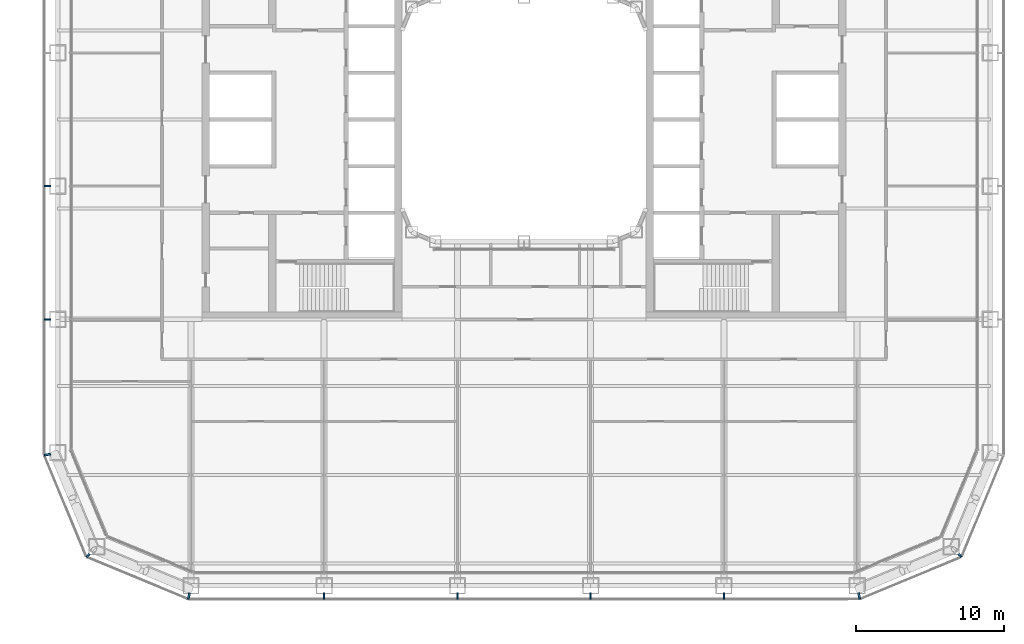
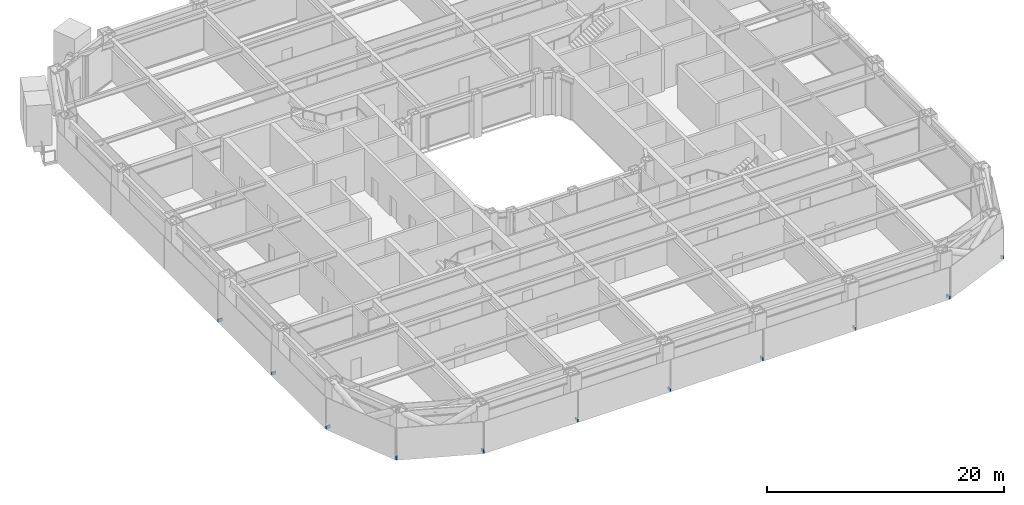
# One storey, part 17 of 28: 11 discrete accessories.
"""IFC4 building model written with IfcOpenShell, lengths in metres."""

import ifcopenshell
import ifcopenshell.guid

model = None  # the IFC model being written
_history = None  # IfcOwnerHistory: only IFC2X3 demands one
_inside = {}  # id of a spatial element -> (the spatial element, [elements in it])
_under = {}  # id of a project, library or spatial element -> (it, [spatial elements below it])
_declared = {}  # id of a project -> (the project, [libraries it declares])
_typed = {}  # id of a type object -> (the type object, [elements of that type])
_made_of = {}  # id of a material, layer set ... -> (it, [elements and type objects made of it])


def new_model(schema):
    """Start an empty IFC model of exactly this schema.

    Asked for "IFC4X3", IfcOpenShell would pick the latest addendum, in which some entities
    have other attributes; the version numbers below select the first issue.
    IFC2X3 requires an IfcOwnerHistory on every rooted entity: one is made here for all.
    """
    global model, _history
    if schema == "IFC4X3":
        model = ifcopenshell.file(schema_version=(4, 3, 0, 0))
    else:
        model = ifcopenshell.file(schema=schema)
    _inside.clear()
    _under.clear()
    _declared.clear()
    _typed.clear()
    _made_of.clear()
    _history = None
    if model.schema == "IFC2X3":
        org = make("IfcOrganization", Name="unknown")
        user = make(
            "IfcPersonAndOrganization",
            ThePerson=make("IfcPerson", FamilyName="unknown"),
            TheOrganization=org,
        )
        app = make(
            "IfcApplication",
            ApplicationDeveloper=org,
            Version="unknown",
            ApplicationFullName="unknown",
            ApplicationIdentifier="unknown",
        )
        _history = make(
            "IfcOwnerHistory",
            OwningUser=user,
            OwningApplication=app,
            ChangeAction="ADDED",
            CreationDate=0,
        )
    return model


def make(cls, **values):
    """One entity of the class cls with the attributes given. An attribute that is None is left unset."""
    return model.create_entity(
        cls, **{name: value for name, value in values.items() if value is not None}
    )


def rooted(cls, **values):
    """An entity with a GlobalId (a new one), such as an element, a storey or a relation."""
    return make(cls, GlobalId=ifcopenshell.guid.new(), OwnerHistory=_history, **values)


def si_unit(unit_type, name, prefix=None):
    """IfcSIUnit, for example si_unit("LENGTHUNIT", "METRE", prefix="MILLI")."""
    return make("IfcSIUnit", UnitType=unit_type, Prefix=prefix, Name=name)


def assignment(units):
    """IfcUnitAssignment: the units of a project."""
    return None if units is None else make("IfcUnitAssignment", Units=units)


def point(xyz):
    """IfcCartesianPoint."""
    return None if xyz is None else make("IfcCartesianPoint", Coordinates=xyz)


def direction(xyz):
    """IfcDirection."""
    return None if xyz is None else make("IfcDirection", DirectionRatios=xyz)


def frame(location, z_axis=None, x_axis=None):
    """IfcAxis2Placement3D, a coordinate frame: its origin and axes. An axis left out is left unset."""
    return make(
        "IfcAxis2Placement3D",
        Location=point(location),
        Axis=direction(z_axis),
        RefDirection=direction(x_axis),
    )


def frame_2d(location, x_axis=None):
    """IfcAxis2Placement2D, a coordinate frame in the plane: its origin and x axis."""
    return make(
        "IfcAxis2Placement2D", Location=point(location), RefDirection=direction(x_axis)
    )


def origin():
    """The frame at (0, 0, 0) with its axes left unset."""
    return frame((0.0, 0.0, 0.0))


def origin_2d():
    """The frame at (0, 0) in the plane with its x axis left unset."""
    return frame_2d((0.0, 0.0))


def place(relative_to, where):
    """IfcLocalPlacement: puts the frame where relative to a parent placement (None: the world)."""
    return make(
        "IfcLocalPlacement", PlacementRelTo=relative_to, RelativePlacement=where
    )


def context(
    kind, dimensions, precision=None, world=None, true_north=None, identifier=None
):
    """IfcGeometricRepresentationContext, for example the 3D "Model" context."""
    return make(
        "IfcGeometricRepresentationContext",
        ContextIdentifier=identifier,
        ContextType=kind,
        CoordinateSpaceDimension=dimensions,
        Precision=precision,
        WorldCoordinateSystem=world,
        TrueNorth=true_north,
    )


def subcontext(parent, identifier, kind, view, scale=None):
    """IfcGeometricRepresentationSubContext, for example "Body" below "Model"."""
    return make(
        "IfcGeometricRepresentationSubContext",
        ContextIdentifier=identifier,
        ContextType=kind,
        ParentContext=parent,
        TargetScale=scale,
        TargetView=view,
    )


def project(units=None, contexts=None):
    """IfcProject with its units and contexts."""
    return rooted(
        "IfcProject",
        Name="project",
        RepresentationContexts=contexts,
        UnitsInContext=assignment(units),
    )


def spatial(cls, under=None, at=None, **own):
    """A site, building, storey or space (cls), placed at a placement, below another one or the project."""
    s = rooted(cls, ObjectPlacement=at, **own)
    if under is not None:
        _under.setdefault(under.id(), (under, []))[1].append(s)
    return s


def profile(cls, at=None, kind="AREA", **sizes):
    """A parametric profile (cls). Its sizes go by their IFC names, for example OverallWidth=200.0."""
    return make(cls, ProfileType=kind, Position=at, **sizes)


def rectangle(**sizes):
    """IfcRectangleProfileDef."""
    return profile("IfcRectangleProfileDef", **sizes)


def extrude(swept, where, along, depth):
    """IfcExtrudedAreaSolid: the profile swept, set in the frame where, extruded along a direction by depth."""
    return make(
        "IfcExtrudedAreaSolid",
        SweptArea=swept,
        Position=where,
        ExtrudedDirection=direction(along),
        Depth=depth,
    )


def shape(context_of_items, identifier, shape_type, items):
    """IfcShapeRepresentation: the items that make up one representation, for example the "Body"."""
    return make(
        "IfcShapeRepresentation",
        ContextOfItems=context_of_items,
        RepresentationIdentifier=identifier,
        RepresentationType=shape_type,
        Items=items,
    )


def material(Name=None, Category=None):
    """IfcMaterial."""
    return make("IfcMaterial", Name=Name, Category=Category)


def made_of(thing, what):
    """Note that an element or type object is made of a material, layer set ...; save() writes the relation."""
    if what is not None:
        _made_of.setdefault(what.id(), (what, []))[1].append(thing)
    return thing


def type_object(cls, material=None, **own):
    """A type object (cls), such as IfcWallType, which elements share."""
    return made_of(rooted(cls, **own), material)


def element(
    cls,
    number,
    at=None,
    inside=None,
    cuts=None,
    type_object=None,
    material=None,
    context=None,
    identifier="Body",
    shape_type=None,
    held_by="IfcProductDefinitionShape",
    body=None,
    shapes=None,
    **own,
):
    """One element of the class cls, such as IfcWall. Its Tag is "e" and its number.

    at: its placement. inside: the storey or other place that contains it. cuts: it is an
    opening in that element (IfcRelVoidsElement). A single representation is given by context,
    identifier, shape_type and body (its items); several are given by shapes. held_by: the class
    of the entity that holds the representations. save() writes the other relations.
    """
    e = rooted(cls, Tag="e%d" % number, ObjectPlacement=at, **own)
    if body is not None:
        shapes = [shape(context, identifier, shape_type, body)]
    if shapes is not None:
        e.Representation = make(held_by, Representations=shapes)
    if inside is not None:
        _inside.setdefault(inside.id(), (inside, []))[1].append(e)
    if cuts is not None:
        rooted(
            "IfcRelVoidsElement", RelatingBuildingElement=cuts, RelatedOpeningElement=e
        )
    if type_object is not None:
        _typed.setdefault(type_object.id(), (type_object, []))[1].append(e)
    return made_of(e, material)


def aggregate(whole, parts):
    """IfcRelAggregates: a whole, such as a stair, and the parts it consists of."""
    return rooted("IfcRelAggregates", RelatingObject=whole, RelatedObjects=parts)


def save(model, path):
    """Write the relations noted so far, then the file.

    IfcRelAggregates (storeys below a building ...), IfcRelContainedInSpatialStructure (elements
    in a storey), IfcRelDefinesByType, IfcRelAssociatesMaterial and IfcRelDeclares: one each for
    every whole, place, type object, material and project.
    """
    for whole, parts in _under.values():
        aggregate(whole, parts)
    for where, things in _inside.values():
        rooted(
            "IfcRelContainedInSpatialStructure",
            RelatedElements=things,
            RelatingStructure=where,
        )
    for kind, things in _typed.values():
        rooted("IfcRelDefinesByType", RelatedObjects=things, RelatingType=kind)
    for what, things in _made_of.values():
        rooted("IfcRelAssociatesMaterial", RelatedObjects=things, RelatingMaterial=what)
    for by, libraries in _declared.values():
        rooted("IfcRelDeclares", RelatingContext=by, RelatedDefinitions=libraries)
    model.write(path)


model = new_model("IFC4")

# Units and contexts
model_context = context("Model", 3, precision=1e-05, world=origin(), true_north=direction((0.0, 1.0)))
body_context = subcontext(model_context, "Body", "Model", "MODEL_VIEW")
ifc_project = project(units=[si_unit("LENGTHUNIT", "METRE"), si_unit("AREAUNIT", "SQUARE_METRE"), si_unit("VOLUMEUNIT", "CUBIC_METRE"), si_unit("PLANEANGLEUNIT", "RADIAN"), si_unit("MASSUNIT", "GRAM", prefix="KILO")], contexts=[model_context])

# Site, building, storey
site_placement = place(None, origin())
site = spatial("IfcSite", under=ifc_project, at=site_placement, CompositionType="ELEMENT")
building_placement = place(site_placement, origin())
building = spatial("IfcBuilding", under=site, at=building_placement, Name="Siwar Civic Tower", CompositionType="ELEMENT")
storey_placement = place(building_placement, frame((0.0, 0.0, 31.199951171875)))
storey = spatial("IfcBuildingStorey", under=building, at=storey_placement, Name="L06", CompositionType="ELEMENT", Elevation=31.199951171875)

# Discrete accessories
ifc_material = material(Name="Stainless steel 316", Category="steel")
discrete_accessory_type = type_object("IfcDiscreteAccessoryType", Name="ENV-BRACKET", PredefinedType="BRACKET", material=ifc_material)
for number, where, z_axis, x_axis, name in (
    (1, (-13.5, -32.18994140625, -0.14990234375), (0.0, 0.0, 1.0), (0.0, -1.0, 0.0), "Bracket outer skin joint S-01"),
    (2, (-4.5, -32.18994140625, -0.14990234375), (0.0, 0.0, 1.0), (0.0, -1.0, 0.0), "Bracket outer skin joint S-02"),
    (3, (4.5, -32.18994140625, -0.14990234375), (0.0, 0.0, 1.0), (0.0, -1.0, 0.0), "Bracket outer skin joint S-03"),
    (4, (13.5, -32.18994140625, -0.14990234375), (0.0, 0.0, 1.0), (0.0, -1.0, 0.0), "Bracket outer skin joint S-04"),
):
    element("IfcDiscreteAccessory", number, at=place(storey_placement, frame(where, z_axis=z_axis, x_axis=x_axis)), inside=storey, type_object=discrete_accessory_type, Name=name, PredefinedType="BRACKET", context=body_context, shape_type="SweptSolid", body=[
        extrude(rectangle(XDim=0.419921875, YDim=0.10009765625, at=origin_2d()), origin(), (0.0, 0.0, 1.0), 0.300048828125),
    ])
for number, where, z_axis, x_axis, name in (
    (5, (-22.63720703125, -32.190185546875, -0.14990234375), (0.0, 0.0, 1.0), (-0.195090322016, -0.980785280403, 0.0), "Bracket outer skin joint V00"),
    (6, (22.63720703125, -32.190185546875, -0.14990234375), (0.0, 0.0, 1.0), (0.195090322016, -0.980785280403, 0.0), "Bracket outer skin joint V01"),
):
    element("IfcDiscreteAccessory", number, at=place(storey_placement, frame(where, z_axis=z_axis, x_axis=x_axis)), inside=storey, type_object=discrete_accessory_type, Name=name, PredefinedType="BRACKET", context=body_context, shape_type="SweptSolid", body=[
        extrude(rectangle(XDim=0.427734375, YDim=0.13720703125, at=origin_2d()), origin(), (0.0, 0.0, 1.0), 0.300048828125),
    ])
discrete_accessory_1_placement = place(storey_placement, frame((29.451416015625, -29.451416015625, -0.14990234375), z_axis=(0.0, 0.0, 1.0), x_axis=(0.707106781187, -0.707106781187, 0.0)))
element("IfcDiscreteAccessory", 7, at=discrete_accessory_1_placement, inside=storey, type_object=discrete_accessory_type, Name="Bracket outer skin joint V02", PredefinedType="BRACKET", context=body_context, shape_type="SweptSolid", body=[
    extrude(rectangle(XDim=0.287109375, YDim=0.12939453125, at=origin_2d()), origin(), (0.0, 0.0, 1.0), 0.300048828125),
])
discrete_accessory_2_placement = place(storey_placement, frame((-32.190185546875, -22.63720703125, -0.14990234375), z_axis=(0.0, 0.0, 1.0), x_axis=(-0.980785280403, -0.195090322016, 0.0)))
element("IfcDiscreteAccessory", 8, at=discrete_accessory_2_placement, inside=storey, type_object=discrete_accessory_type, Name="Bracket outer skin joint V10", PredefinedType="BRACKET", context=body_context, shape_type="SweptSolid", body=[
    extrude(rectangle(XDim=0.427734375, YDim=0.13720703125, at=origin_2d()), origin(), (0.0, 0.0, 1.0), 0.300048828125),
])
discrete_accessory_3_placement = place(storey_placement, frame((-29.451416015625, -29.451416015625, -0.14990234375), z_axis=(0.0, 0.0, 1.0), x_axis=(-0.707106781187, -0.707106781187, 0.0)))
element("IfcDiscreteAccessory", 9, at=discrete_accessory_3_placement, inside=storey, type_object=discrete_accessory_type, Name="Bracket outer skin joint V11", PredefinedType="BRACKET", context=body_context, shape_type="SweptSolid", body=[
    extrude(rectangle(XDim=0.287109375, YDim=0.12939453125, at=origin_2d()), origin(), (0.0, 0.0, 1.0), 0.300048828125),
])
for number, where, z_axis, x_axis, name in (
    (10, (-32.18994140625, -4.5, -0.14990234375), (0.0, 0.0, 1.0), (-1.0, 0.0, 0.0), "Bracket outer skin joint W-03"),
    (11, (-32.18994140625, -13.5, -0.14990234375), (0.0, 0.0, 1.0), (-1.0, 0.0, 0.0), "Bracket outer skin joint W-04"),
):
    element("IfcDiscreteAccessory", number, at=place(storey_placement, frame(where, z_axis=z_axis, x_axis=x_axis)), inside=storey, type_object=discrete_accessory_type, Name=name, PredefinedType="BRACKET", context=body_context, shape_type="SweptSolid", body=[
        extrude(rectangle(XDim=0.419921875, YDim=0.10009765625, at=origin_2d()), origin(), (0.0, 0.0, 1.0), 0.300048828125),
    ])

save(model, "model.ifc")
